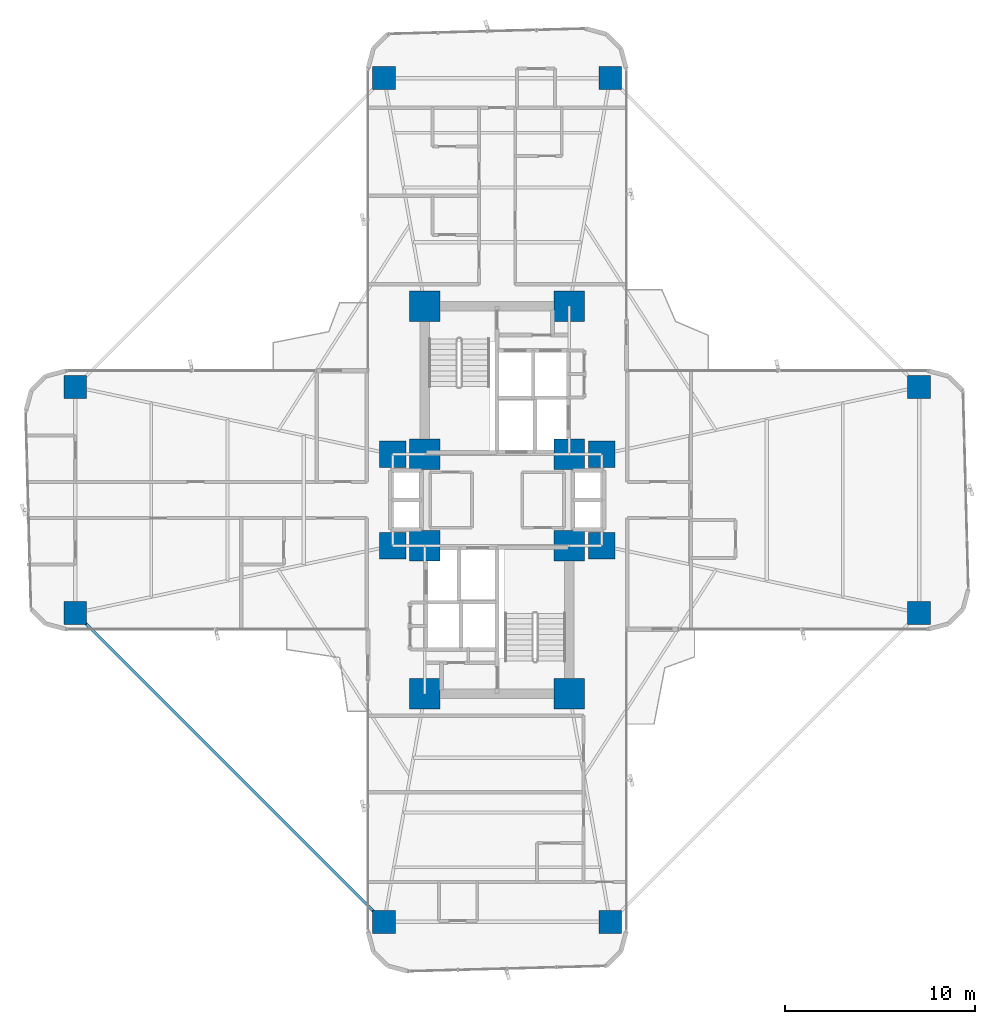
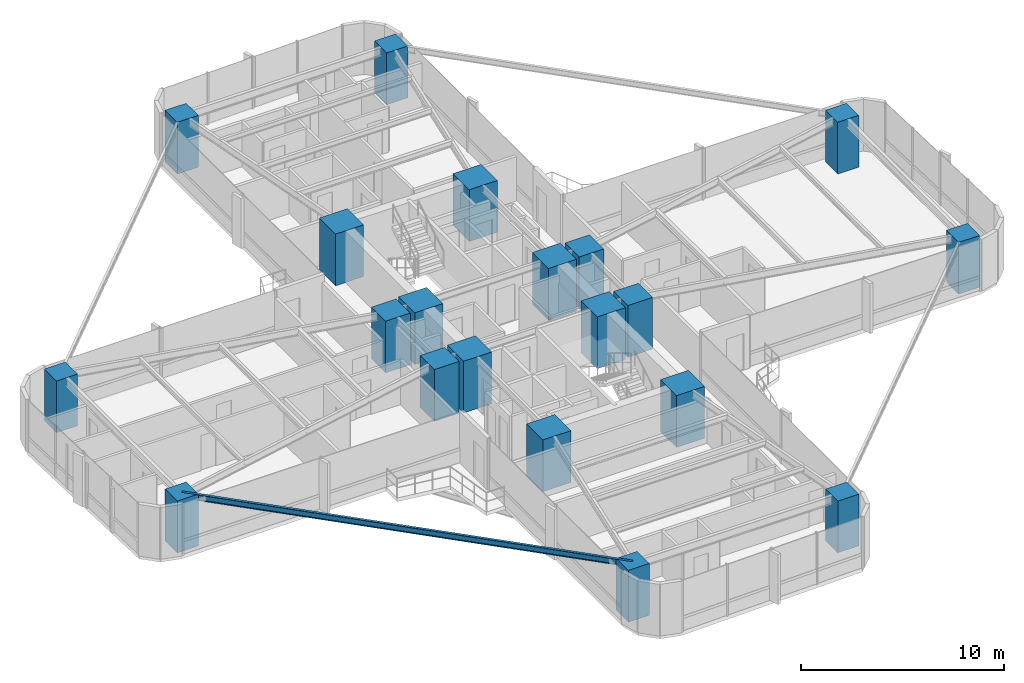
# One storey, part 1 of 26: 20 columns, 1 beam.
"""IFC4 building model written with IfcOpenShell, lengths in metres."""

from ifc_helpers import new_model, si_unit, direction, frame, origin, origin_2d, place, context, subcontext, project, spatial, rectangle, i_section, extrude, source, transform, mapped, material, material_profile, profile_set, type_object, element, save


model = new_model("IFC4")

# Units and contexts
model_context = context("Model", 3, precision=1e-05, world=origin(), true_north=direction((0.0, 1.0)))
body_context = subcontext(model_context, "Body", "Model", "MODEL_VIEW")
ifc_project = project(units=[si_unit("LENGTHUNIT", "METRE"), si_unit("AREAUNIT", "SQUARE_METRE"), si_unit("VOLUMEUNIT", "CUBIC_METRE"), si_unit("PLANEANGLEUNIT", "RADIAN"), si_unit("MASSUNIT", "GRAM", prefix="KILO")], contexts=[model_context])

# Site, building, storey
site_placement = place(None, origin())
site = spatial("IfcSite", under=ifc_project, at=site_placement, CompositionType="ELEMENT")
building_placement = place(site_placement, origin())
building = spatial("IfcBuilding", under=site, at=building_placement, Name="Sahyath Konkavel Grand Hotel", CompositionType="ELEMENT")
storey_placement = place(building_placement, frame((0.0, 0.0, 29.800048828125)))
storey = spatial("IfcBuildingStorey", under=building, at=storey_placement, Name="L07", CompositionType="ELEMENT", Elevation=29.800048828125)

# Columns
ifc_material_1 = material(Name="Concrete C70/85", Category="concrete")
ifc_material_profile_1 = material_profile(ifc_material_1, rectangle(XDim=1.60009765625, YDim=1.60009765625, at=origin_2d()), Name="RC 1600x1600")
ifc_profile_set_1 = profile_set([ifc_material_profile_1], Name="Concrete C70/85")
column_type_1 = type_object("IfcColumnType", Name="COL-RC1600", PredefinedType="COLUMN", material=ifc_profile_set_1)
shared_shape_1 = source(origin(), body_context, "Body", "SweptSolid", [
    extrude(rectangle(XDim=1.60009765625, YDim=1.60009765625, at=origin_2d()), origin(), (0.0, 0.0, 1.0), 3.10986328125),
])
for number, where, z_axis, x_axis, name in (
    (1, (-3.800048828125, 2.39990234375, 0.0), (0.0, 0.0, 1.0), (1.0, 0.0, 0.0), "L07 Core Boundary Column NC-SW"),
    (2, (3.800048828125, 2.39990234375, 0.0), (0.0, 0.0, 1.0), (1.0, 0.0, 0.0), "L07 Core Boundary Column NC-SE"),
    (3, (-3.800048828125, 10.199951171875, 0.0), (0.0, 0.0, 1.0), (1.0, 0.0, 0.0), "L07 Core Boundary Column NC-NW"),
    (4, (3.800048828125, 10.199951171875, 0.0), (0.0, 0.0, 1.0), (1.0, 0.0, 0.0), "L07 Core Boundary Column NC-NE"),
    (5, (-3.800048828125, -2.39990234375, 0.0), (0.0, 0.0, 1.0), (1.0, 0.0, 0.0), "L07 Core Boundary Column SC-NW"),
    (6, (3.800048828125, -2.39990234375, 0.0), (0.0, 0.0, 1.0), (1.0, 0.0, 0.0), "L07 Core Boundary Column SC-NE"),
    (7, (-3.800048828125, -10.199951171875, 0.0), (0.0, 0.0, 1.0), (1.0, 0.0, 0.0), "L07 Core Boundary Column SC-SW"),
    (8, (3.800048828125, -10.199951171875, 0.0), (0.0, 0.0, 1.0), (1.0, 0.0, 0.0), "L07 Core Boundary Column SC-SE"),
):
    element("IfcColumn", number, at=place(storey_placement, frame(where, z_axis=z_axis, x_axis=x_axis)), inside=storey, type_object=column_type_1, Name=name, PredefinedType="COLUMN", context=body_context, shape_type="MappedRepresentation", body=[
        mapped(shared_shape_1, transform((0.0, 0.0, 0.0), scale=1.0)),
    ])
ifc_material_profile_2 = material_profile(ifc_material_1, rectangle(XDim=1.39990234375, YDim=1.39990234375, at=origin_2d()), Name="RC 1400x1400")
ifc_profile_set_2 = profile_set([ifc_material_profile_2], Name="Concrete C70/85")
column_type_2 = type_object("IfcColumnType", Name="COL-RC1400", PredefinedType="COLUMN", material=ifc_profile_set_2)
shared_shape_2 = source(origin(), body_context, "Body", "SweptSolid", [
    extrude(rectangle(XDim=1.39990234375, YDim=1.39990234375, at=origin_2d()), origin(), (0.0, 0.0, 1.0), 3.10986328125),
])
for number, where, z_axis, x_axis, name in (
    (9, (5.5, 2.39990234375, 0.0), (0.0, 0.0, 1.0), (1.0, 0.0, 0.0), "L07 Central Spine Column HB-NE"),
    (10, (-5.5, 2.39990234375, 0.0), (0.0, 0.0, 1.0), (1.0, 0.0, 0.0), "L07 Central Spine Column HB-NW"),
    (11, (5.5, -2.39990234375, 0.0), (0.0, 0.0, 1.0), (1.0, 0.0, 0.0), "L07 Central Spine Column HB-SE"),
    (12, (-5.5, -2.39990234375, 0.0), (0.0, 0.0, 1.0), (1.0, 0.0, 0.0), "L07 Central Spine Column HB-SW"),
):
    element("IfcColumn", number, at=place(storey_placement, frame(where, z_axis=z_axis, x_axis=x_axis)), inside=storey, type_object=column_type_2, Name=name, PredefinedType="COLUMN", context=body_context, shape_type="MappedRepresentation", body=[
        mapped(shared_shape_2, transform((0.0, 0.0, 0.0), scale=1.0)),
    ])
ifc_material_2 = material(Name="Concrete C50/60", Category="concrete")
ifc_material_profile_3 = material_profile(ifc_material_2, rectangle(XDim=1.199951171875, YDim=1.199951171875, at=origin_2d()), Name="RC 1200x1200")
ifc_profile_set_3 = profile_set([ifc_material_profile_3], Name="Concrete C50/60")
column_type_3 = type_object("IfcColumnType", Name="COL-RC1200", PredefinedType="COLUMN", material=ifc_profile_set_3)
shared_shape_3 = source(origin(), body_context, "Body", "SweptSolid", [
    extrude(rectangle(XDim=1.199951171875, YDim=1.199951171875, at=origin_2d()), origin(), (0.0, 0.0, 1.0), 3.10986328125),
])
for number, where, z_axis, x_axis, name in (
    (13, (22.199951171875, -5.949951171875, 0.0), (0.0, 0.0, 1.0), (1.0, 0.0, 0.0), "L07 Cruciform Wing Column WC-EA"),
    (14, (22.199951171875, 5.949951171875, 0.0), (0.0, 0.0, 1.0), (1.0, 0.0, 0.0), "L07 Cruciform Wing Column WC-EB"),
    (15, (5.949951171875, 22.199951171875, 0.0), (0.0, 0.0, 1.0), (1.0, 0.0, 0.0), "L07 Cruciform Wing Column WC-NA"),
    (16, (-5.949951171875, 22.199951171875, 0.0), (0.0, 0.0, 1.0), (1.0, 0.0, 0.0), "L07 Cruciform Wing Column WC-NB"),
    (17, (-22.199951171875, 5.949951171875, 0.0), (0.0, 0.0, 1.0), (1.0, 0.0, 0.0), "L07 Cruciform Wing Column WC-WA"),
    (18, (-22.199951171875, -5.949951171875, 0.0), (0.0, 0.0, 1.0), (1.0, 0.0, 0.0), "L07 Cruciform Wing Column WC-WB"),
    (19, (-5.949951171875, -22.199951171875, 0.0), (0.0, 0.0, 1.0), (1.0, 0.0, 0.0), "L07 Cruciform Wing Column WC-SA"),
    (20, (5.949951171875, -22.199951171875, 0.0), (0.0, 0.0, 1.0), (1.0, 0.0, 0.0), "L07 Cruciform Wing Column WC-SB"),
):
    element("IfcColumn", number, at=place(storey_placement, frame(where, z_axis=z_axis, x_axis=x_axis)), inside=storey, type_object=column_type_3, Name=name, PredefinedType="COLUMN", context=body_context, shape_type="MappedRepresentation", body=[
        mapped(shared_shape_3, transform((0.0, 0.0, 0.0), scale=1.0)),
    ])

# Beam
ifc_material_3 = material(Name="Steel E350", Category="steel")
ifc_material_profile_4 = material_profile(ifc_material_3, i_section(OverallWidth=0.139892578125, OverallDepth=0.35009765625, WebThickness=0.008056640625, FlangeThickness=0.01416015625, FilletRadius=0.013916015625, at=origin_2d()), Name="ISMB 350")
ifc_profile_set_4 = profile_set([ifc_material_profile_4], Name="Steel E350")
beam_type = type_object("IfcBeamType", Name="BM-ISMB350", PredefinedType="BEAM", material=ifc_profile_set_4)
shared_shape_4 = source(origin(), body_context, "Body", "SweptSolid", [
    extrude(i_section(OverallWidth=0.139892578125, OverallDepth=0.35009765625, WebThickness=0.008056640625, FlangeThickness=0.01416015625, FilletRadius=0.013916015625, at=origin_2d()), origin(), (0.0, 0.0, 1.0), 22.98095703125),
])
beam_placement = place(storey_placement, frame((-22.199951171875, -5.949951171875, 2.93505859375), z_axis=(0.707106781187, -0.707106781187, 0.0), x_axis=(0.707106781187, 0.707106781187, 0.0)))
element("IfcBeam", 21, at=beam_placement, inside=storey, type_object=beam_type, Name="L07 Re-Entrant Tie Beam SW", PredefinedType="BEAM", context=body_context, shape_type="MappedRepresentation", body=[
    mapped(shared_shape_4, transform((0.0, 0.0, 0.0), scale=1.0)),
])

save(model, "model.ifc")
